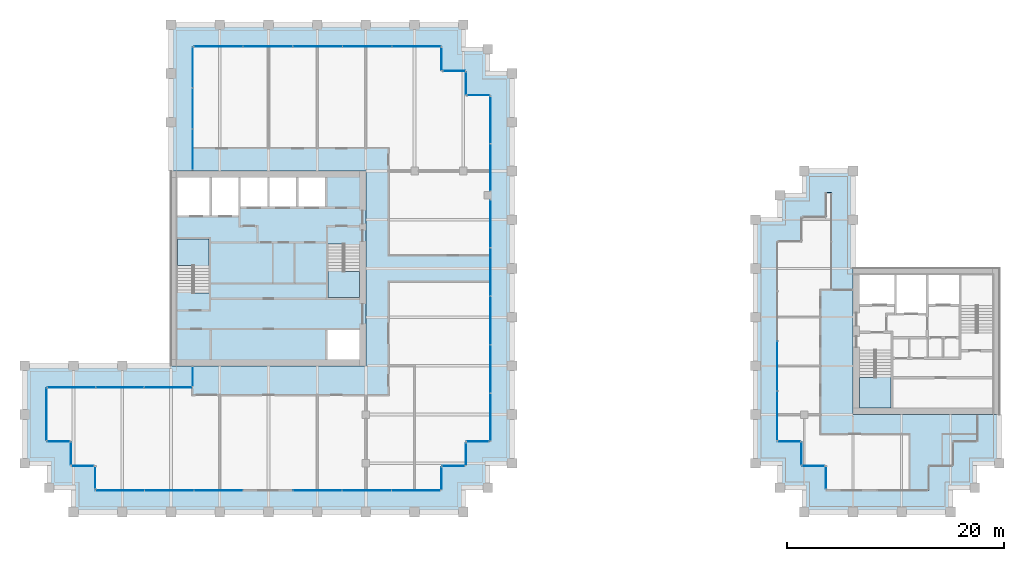
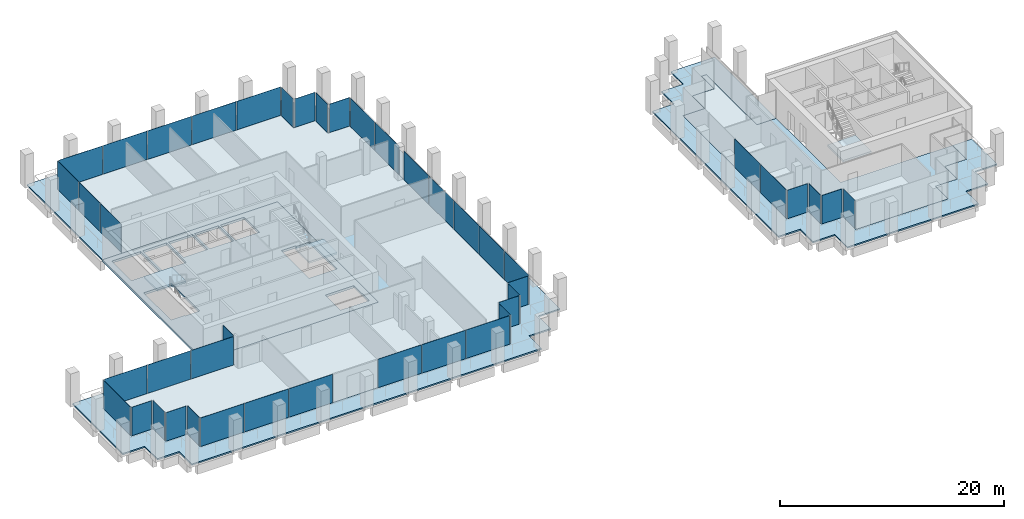
# One storey, part 34 of 40: 44 plates, 8 slabs, 29 elements without a shape of their own.
"""IFC4 building model written with IfcOpenShell, lengths in metres."""

from ifc_helpers import new_model, si_unit, direction, frame, origin, origin_2d, place, context, subcontext, project, spatial, polyline, rectangle, outline, extrude, material, layer, layer_set, type_object, element, aggregate, save


model = new_model("IFC4")

# Units and contexts
model_context = context("Model", 3, precision=1e-05, world=origin(), true_north=direction((0.0, 1.0)))
body_context = subcontext(model_context, "Body", "Model", "MODEL_VIEW")
ifc_project = project(units=[si_unit("LENGTHUNIT", "METRE"), si_unit("AREAUNIT", "SQUARE_METRE"), si_unit("VOLUMEUNIT", "CUBIC_METRE"), si_unit("PLANEANGLEUNIT", "RADIAN"), si_unit("MASSUNIT", "GRAM", prefix="KILO")], contexts=[model_context])

# Site, building, storey
site_placement = place(None, origin())
site = spatial("IfcSite", under=ifc_project, at=site_placement, CompositionType="ELEMENT")
building_placement = place(site_placement, origin())
building = spatial("IfcBuilding", under=site, at=building_placement, Name="Altepetl Exchange Towers", CompositionType="ELEMENT")
storey_placement = place(building_placement, frame((0.0, 0.0, 172.60009765625)))
storey = spatial("IfcBuildingStorey", under=building, at=storey_placement, Name="L43", CompositionType="ELEMENT", Elevation=172.60009765625)

# Slabs
ifc_material_1 = material(Name="Concrete C40/50", Category="concrete")
ifc_layer_1 = layer(ifc_material_1, 0.14990234375)
ifc_layer_set_1 = layer_set([ifc_layer_1], Name="Concrete C40/50")
slab_type_1 = type_object("IfcSlabType", Name="Composite floor slab 150", PredefinedType="FLOOR", material=ifc_layer_set_1)
slab_1_placement = place(storey_placement, frame((0.0, 0.0, -0.150146484375)))
element("IfcSlab", 1, at=slab_1_placement, inside=storey, type_object=slab_type_1, Name="slab:A:L43:strip0", PredefinedType="FLOOR", context=body_context, shape_type="SweptSolid", body=[
    extrude(outline(polyline([(42.5, 70.0), (42.5, 58.5), (58.5, 58.5), (58.5, 40.5), (42.5, 40.5), (42.5, 38.5), (29.0, 38.5), (29.0, 33.5), (31.25, 33.5), (31.25, 31.25), (33.5, 31.25), (33.5, 29.0), (65.5, 29.0), (65.5, 31.25), (67.75, 31.25), (67.75, 33.5), (70.0, 33.5), (70.0, 65.5), (67.75, 65.5), (67.75, 67.75), (65.5, 67.75), (65.5, 70.0), (42.5, 70.0)])), origin(), (0.0, 0.0, 1.0), 0.150146484375),
])
slab_2_placement = place(storey_placement, frame((0.0, 0.0, -0.150146484375)))
element("IfcSlab", 2, at=slab_2_placement, inside=storey, type_object=slab_type_1, Name="slab:B:L43:strip0", PredefinedType="FLOOR", context=body_context, shape_type="SweptSolid", body=[
    extrude(outline(polyline([(98.75, 31.25), (101.0, 31.25), (101.0, 29.0), (110.5, 29.0), (110.5, 31.25), (112.75, 31.25), (112.75, 33.5), (115.0, 33.5), (115.0, 36.0), (103.5, 36.0), (103.5, 47.5), (101.5, 47.5), (101.5, 56.5), (101.0, 56.5), (101.0, 54.25), (98.75, 54.25), (98.75, 52.0), (96.5, 52.0), (96.5, 33.5), (98.75, 33.5), (98.75, 31.25)])), origin(), (0.0, 0.0, 1.0), 0.150146484375),
])
ifc_layer_2 = layer(ifc_material_1, 0.25)
ifc_layer_set_2 = layer_set([ifc_layer_2], Name="Concrete C40/50")
slab_type_2 = type_object("IfcSlabType", Name="Core floor slab 250", PredefinedType="FLOOR", material=ifc_layer_set_2)
slab_3_placement = place(storey_placement, frame((0.0, 0.0, -0.25)))
element("IfcSlab", 3, at=slab_3_placement, inside=storey, type_object=slab_type_2, Name="slab:A:L43:core0", PredefinedType="FLOOR", context=body_context, shape_type="SweptSolid", body=[
    extrude(outline(polyline([(40.5, 40.5), (58.5, 40.5), (58.5, 58.5), (40.5, 58.5), (40.5, 40.5)]), holes=[polyline([(54.93310546875, 43.800048828125), (57.89990234375, 43.800048828125), (57.89990234375, 41.10009765625), (54.93310546875, 41.10009765625), (54.93310546875, 43.800048828125)]), polyline([(55.0, 51.7490234375), (56.5, 51.7490234375), (56.5, 51.64990234375), (57.89990234375, 51.64990234375), (57.89990234375, 46.800048828125), (55.0, 46.800048828125), (55.0, 51.7490234375)]), polyline([(44.0, 47.2509765625), (42.5, 47.2509765625), (42.5, 47.35009765625), (41.10009765625, 47.35009765625), (41.10009765625, 52.199951171875), (44.0, 52.199951171875), (44.0, 47.2509765625)]), polyline([(41.10009765625, 57.89990234375), (44.06689453125, 57.89990234375), (44.06689453125, 54.39990234375), (41.10009765625, 54.39990234375), (41.10009765625, 57.89990234375)]), polyline([(44.26708984375, 57.89990234375), (46.73291015625, 57.89990234375), (46.73291015625, 54.39990234375), (44.26708984375, 54.39990234375), (44.26708984375, 57.89990234375)]), polyline([(46.93310546875, 57.89990234375), (49.39990234375, 57.89990234375), (49.39990234375, 55.199951171875), (46.93310546875, 55.199951171875), (46.93310546875, 57.89990234375)]), polyline([(49.60009765625, 57.89990234375), (52.06689453125, 57.89990234375), (52.06689453125, 55.199951171875), (49.60009765625, 55.199951171875), (49.60009765625, 57.89990234375)]), polyline([(52.26708984375, 57.89990234375), (54.73291015625, 57.89990234375), (54.73291015625, 55.199951171875), (52.26708984375, 55.199951171875), (52.26708984375, 57.89990234375)])]), origin(), (0.0, 0.0, 1.0), 0.25),
])

# Curtain wall, plate
ifc_material_2 = material(Name="Aluminium 6063-T6 glazing", Category="aluminium")
curtain_wall_type = type_object("IfcCurtainWallType", Name="Loggia glazing system", PredefinedType="NOTDEFINED", material=ifc_material_2)
curtain_wall_1_placement = place(storey_placement, origin())
curtain_wall_1 = element("IfcCurtainWall", 4, at=curtain_wall_1_placement, inside=storey, type_object=curtain_wall_type, Name="CW1 run", PredefinedType="NOTDEFINED")
ifc_material_3 = material(Name="Glass 6-16-6 low emissivity", Category="glass")
ifc_layer_3 = layer(ifc_material_3, 0.028076171875)
ifc_layer_set_3 = layer_set([ifc_layer_3], Name="Glass 6-16-6 low emissivity")
plate_type = type_object("IfcPlateType", Name="Glass panel 28 double glazed", PredefinedType="CURTAIN_PANEL", material=ifc_layer_set_3)
plate_1_placement = place(storey_placement, frame((42.5, 39.53759765625, -0.000244140625), z_axis=(0.0, 0.0, 1.0), x_axis=(0.0, -1.0, 0.0)))
plate_1 = element("IfcPlate", 5, at=plate_1_placement, type_object=plate_type, Name="GP1 panel", PredefinedType="CURTAIN_PANEL", context=body_context, shape_type="SweptSolid", body=[
    extrude(rectangle(XDim=1.804931640625, YDim=0.028076171875, at=origin_2d()), origin(), (0.0, 0.0, 1.0), 3.10009765625),
])
aggregate(curtain_wall_1, [plate_1])

# Curtain wall, plates
curtain_wall_2_placement = place(storey_placement, origin())
curtain_wall_2 = element("IfcCurtainWall", 6, at=curtain_wall_2_placement, inside=storey, type_object=curtain_wall_type, Name="CW1 run", PredefinedType="NOTDEFINED")
plate_2_placement = place(storey_placement, frame((40.24755859375, 38.5, -0.000244140625), z_axis=(0.0, 0.0, 1.0), x_axis=(-1.0, 0.0, 0.0)))
plate_2 = element("IfcPlate", 7, at=plate_2_placement, type_object=plate_type, Name="GP1 panel", PredefinedType="CURTAIN_PANEL", context=body_context, shape_type="SweptSolid", body=[
    extrude(rectangle(XDim=4.385009765625, YDim=0.028076171875, at=origin_2d()), origin(), (0.0, 0.0, 1.0), 3.10009765625),
])
plate_3_placement = place(storey_placement, frame((35.78759765625, 38.5, -0.000244140625), z_axis=(0.0, 0.0, 1.0), x_axis=(-1.0, 0.0, 0.0)))
plate_3 = element("IfcPlate", 8, at=plate_3_placement, type_object=plate_type, Name="GP1 panel", PredefinedType="CURTAIN_PANEL", context=body_context, shape_type="SweptSolid", body=[
    extrude(rectangle(XDim=4.4150390625, YDim=0.028076171875, at=origin_2d()), origin(), (0.0, 0.0, 1.0), 3.10009765625),
])
plate_4_placement = place(storey_placement, frame((31.327392578125, 38.5, -0.000244140625), z_axis=(0.0, 0.0, 1.0), x_axis=(-1.0, 0.0, 0.0)))
plate_4 = element("IfcPlate", 9, at=plate_4_placement, type_object=plate_type, Name="GP1 panel", PredefinedType="CURTAIN_PANEL", context=body_context, shape_type="SweptSolid", body=[
    extrude(rectangle(XDim=4.385009765625, YDim=0.028076171875, at=origin_2d()), origin(), (0.0, 0.0, 1.0), 3.10009765625),
])
aggregate(curtain_wall_2, [plate_2, plate_3, plate_4])

# Curtain wall, plate
curtain_wall_3_placement = place(storey_placement, origin())
curtain_wall_3 = element("IfcCurtainWall", 10, at=curtain_wall_3_placement, inside=storey, type_object=curtain_wall_type, Name="CW1 run", PredefinedType="NOTDEFINED")
plate_5_placement = place(storey_placement, frame((29.0, 36.03759765625, -0.000244140625), z_axis=(0.0, 0.0, 1.0), x_axis=(0.0, -1.0, 0.0)))
plate_5 = element("IfcPlate", 11, at=plate_5_placement, type_object=plate_type, Name="GP1 panel", PredefinedType="CURTAIN_PANEL", context=body_context, shape_type="SweptSolid", body=[
    extrude(rectangle(XDim=4.804931640625, YDim=0.028076171875, at=origin_2d()), origin(), (0.0, 0.0, 1.0), 3.10009765625),
])
aggregate(curtain_wall_3, [plate_5])

curtain_wall_4_placement = place(storey_placement, origin())
curtain_wall_4 = element("IfcCurtainWall", 12, at=curtain_wall_4_placement, inside=storey, type_object=curtain_wall_type, Name="CW1 run", PredefinedType="NOTDEFINED")
plate_6_placement = place(storey_placement, frame((30.08740234375, 33.5, -0.000244140625)))
plate_6 = element("IfcPlate", 13, at=plate_6_placement, type_object=plate_type, Name="GP1 panel", PredefinedType="CURTAIN_PANEL", context=body_context, shape_type="SweptSolid", body=[
    extrude(rectangle(XDim=2.054931640625, YDim=0.028076171875, at=origin_2d()), origin(), (0.0, 0.0, 1.0), 3.10009765625),
])
aggregate(curtain_wall_4, [plate_6])

curtain_wall_5_placement = place(storey_placement, origin())
curtain_wall_5 = element("IfcCurtainWall", 14, at=curtain_wall_5_placement, inside=storey, type_object=curtain_wall_type, Name="CW1 run", PredefinedType="NOTDEFINED")
plate_7_placement = place(storey_placement, frame((31.25, 32.41259765625, -0.000244140625), z_axis=(0.0, 0.0, 1.0), x_axis=(0.0, -1.0, 0.0)))
plate_7 = element("IfcPlate", 15, at=plate_7_placement, type_object=plate_type, Name="GP1 panel", PredefinedType="CURTAIN_PANEL", context=body_context, shape_type="SweptSolid", body=[
    extrude(rectangle(XDim=2.054931640625, YDim=0.028076171875, at=origin_2d()), origin(), (0.0, 0.0, 1.0), 3.10009765625),
])
aggregate(curtain_wall_5, [plate_7])

curtain_wall_6_placement = place(storey_placement, origin())
curtain_wall_6 = element("IfcCurtainWall", 16, at=curtain_wall_6_placement, inside=storey, type_object=curtain_wall_type, Name="CW1 run", PredefinedType="NOTDEFINED")
plate_8_placement = place(storey_placement, frame((32.33740234375, 31.25, -0.000244140625)))
plate_8 = element("IfcPlate", 17, at=plate_8_placement, type_object=plate_type, Name="GP1 panel", PredefinedType="CURTAIN_PANEL", context=body_context, shape_type="SweptSolid", body=[
    extrude(rectangle(XDim=2.054931640625, YDim=0.028076171875, at=origin_2d()), origin(), (0.0, 0.0, 1.0), 3.10009765625),
])
aggregate(curtain_wall_6, [plate_8])

curtain_wall_7_placement = place(storey_placement, origin())
curtain_wall_7 = element("IfcCurtainWall", 18, at=curtain_wall_7_placement, inside=storey, type_object=curtain_wall_type, Name="CW1 run", PredefinedType="NOTDEFINED")
plate_9_placement = place(storey_placement, frame((33.5, 30.16259765625, -0.000244140625), z_axis=(0.0, 0.0, 1.0), x_axis=(0.0, -1.0, 0.0)))
plate_9 = element("IfcPlate", 19, at=plate_9_placement, type_object=plate_type, Name="GP1 panel", PredefinedType="CURTAIN_PANEL", context=body_context, shape_type="SweptSolid", body=[
    extrude(rectangle(XDim=2.054931640625, YDim=0.028076171875, at=origin_2d()), origin(), (0.0, 0.0, 1.0), 3.10009765625),
])
aggregate(curtain_wall_7, [plate_9])

# Curtain wall, plates
curtain_wall_8_placement = place(storey_placement, origin())
curtain_wall_8 = element("IfcCurtainWall", 20, at=curtain_wall_8_placement, inside=storey, type_object=curtain_wall_type, Name="CW1 run", PredefinedType="NOTDEFINED")
plate_10_placement = place(storey_placement, frame((35.79541015625, 29.0, -0.000244140625)))
plate_10 = element("IfcPlate", 21, at=plate_10_placement, type_object=plate_type, Name="GP1 panel", PredefinedType="CURTAIN_PANEL", context=body_context, shape_type="SweptSolid", body=[
    extrude(rectangle(XDim=4.470703125, YDim=0.028076171875, at=origin_2d()), origin(), (0.0, 0.0, 1.0), 3.10009765625),
])
plate_11_placement = place(storey_placement, frame((40.341064453125, 29.0, -0.000244140625)))
plate_11 = element("IfcPlate", 22, at=plate_11_placement, type_object=plate_type, Name="GP1 panel", PredefinedType="CURTAIN_PANEL", context=body_context, shape_type="SweptSolid", body=[
    extrude(rectangle(XDim=4.500732421875, YDim=0.028076171875, at=origin_2d()), origin(), (0.0, 0.0, 1.0), 3.10009765625),
])
plate_12_placement = place(storey_placement, frame((44.88671875, 29.0, -0.000244140625)))
plate_12 = element("IfcPlate", 23, at=plate_12_placement, type_object=plate_type, Name="GP1 panel", PredefinedType="CURTAIN_PANEL", context=body_context, shape_type="SweptSolid", body=[
    extrude(rectangle(XDim=4.470703125, YDim=0.028076171875, at=origin_2d()), origin(), (0.0, 0.0, 1.0), 3.10009765625),
])
aggregate(curtain_wall_8, [plate_10, plate_11, plate_12])

curtain_wall_9_placement = place(storey_placement, origin())
curtain_wall_9 = element("IfcCurtainWall", 24, at=curtain_wall_9_placement, inside=storey, type_object=curtain_wall_type, Name="CW1 run", PredefinedType="NOTDEFINED")
plate_13_placement = place(storey_placement, frame((54.038330078125, 29.0, -0.000244140625)))
plate_13 = element("IfcPlate", 25, at=plate_13_placement, type_object=plate_type, Name="GP1 panel", PredefinedType="CURTAIN_PANEL", context=body_context, shape_type="SweptSolid", body=[
    extrude(rectangle(XDim=4.470703125, YDim=0.028076171875, at=origin_2d()), origin(), (0.0, 0.0, 1.0), 3.10009765625),
])
plate_14_placement = place(storey_placement, frame((58.583984375, 29.0, -0.000244140625)))
plate_14 = element("IfcPlate", 26, at=plate_14_placement, type_object=plate_type, Name="GP1 panel", PredefinedType="CURTAIN_PANEL", context=body_context, shape_type="SweptSolid", body=[
    extrude(rectangle(XDim=4.500732421875, YDim=0.028076171875, at=origin_2d()), origin(), (0.0, 0.0, 1.0), 3.10009765625),
])
plate_15_placement = place(storey_placement, frame((63.129638671875, 29.0, -0.000244140625)))
plate_15 = element("IfcPlate", 27, at=plate_15_placement, type_object=plate_type, Name="GP1 panel", PredefinedType="CURTAIN_PANEL", context=body_context, shape_type="SweptSolid", body=[
    extrude(rectangle(XDim=4.470703125, YDim=0.028076171875, at=origin_2d()), origin(), (0.0, 0.0, 1.0), 3.10009765625),
])
aggregate(curtain_wall_9, [plate_13, plate_14, plate_15])

# Curtain wall, plate
curtain_wall_10_placement = place(storey_placement, origin())
curtain_wall_10 = element("IfcCurtainWall", 28, at=curtain_wall_10_placement, inside=storey, type_object=curtain_wall_type, Name="CW1 run", PredefinedType="NOTDEFINED")
plate_16_placement = place(storey_placement, frame((65.5, 30.08740234375, -0.000244140625), z_axis=(0.0, 0.0, 1.0), x_axis=(0.0, 1.0, 0.0)))
plate_16 = element("IfcPlate", 29, at=plate_16_placement, type_object=plate_type, Name="GP1 panel", PredefinedType="CURTAIN_PANEL", context=body_context, shape_type="SweptSolid", body=[
    extrude(rectangle(XDim=2.054931640625, YDim=0.028076171875, at=origin_2d()), origin(), (0.0, 0.0, 1.0), 3.10009765625),
])
aggregate(curtain_wall_10, [plate_16])

curtain_wall_11_placement = place(storey_placement, origin())
curtain_wall_11 = element("IfcCurtainWall", 30, at=curtain_wall_11_placement, inside=storey, type_object=curtain_wall_type, Name="CW1 run", PredefinedType="NOTDEFINED")
plate_17_placement = place(storey_placement, frame((66.58740234375, 31.25, -0.000244140625)))
plate_17 = element("IfcPlate", 31, at=plate_17_placement, type_object=plate_type, Name="GP1 panel", PredefinedType="CURTAIN_PANEL", context=body_context, shape_type="SweptSolid", body=[
    extrude(rectangle(XDim=2.054931640625, YDim=0.028076171875, at=origin_2d()), origin(), (0.0, 0.0, 1.0), 3.10009765625),
])
aggregate(curtain_wall_11, [plate_17])

curtain_wall_12_placement = place(storey_placement, origin())
curtain_wall_12 = element("IfcCurtainWall", 32, at=curtain_wall_12_placement, inside=storey, type_object=curtain_wall_type, Name="CW1 run", PredefinedType="NOTDEFINED")
plate_18_placement = place(storey_placement, frame((67.75, 32.33740234375, -0.000244140625), z_axis=(0.0, 0.0, 1.0), x_axis=(0.0, 1.0, 0.0)))
plate_18 = element("IfcPlate", 33, at=plate_18_placement, type_object=plate_type, Name="GP1 panel", PredefinedType="CURTAIN_PANEL", context=body_context, shape_type="SweptSolid", body=[
    extrude(rectangle(XDim=2.054931640625, YDim=0.028076171875, at=origin_2d()), origin(), (0.0, 0.0, 1.0), 3.10009765625),
])
aggregate(curtain_wall_12, [plate_18])

curtain_wall_13_placement = place(storey_placement, origin())
curtain_wall_13 = element("IfcCurtainWall", 34, at=curtain_wall_13_placement, inside=storey, type_object=curtain_wall_type, Name="CW1 run", PredefinedType="NOTDEFINED")
plate_19_placement = place(storey_placement, frame((68.83740234375, 33.5, -0.000244140625)))
plate_19 = element("IfcPlate", 35, at=plate_19_placement, type_object=plate_type, Name="GP1 panel", PredefinedType="CURTAIN_PANEL", context=body_context, shape_type="SweptSolid", body=[
    extrude(rectangle(XDim=2.054931640625, YDim=0.028076171875, at=origin_2d()), origin(), (0.0, 0.0, 1.0), 3.10009765625),
])
aggregate(curtain_wall_13, [plate_19])

# Curtain wall, plates
curtain_wall_14_placement = place(storey_placement, origin())
curtain_wall_14 = element("IfcCurtainWall", 36, at=curtain_wall_14_placement, inside=storey, type_object=curtain_wall_type, Name="CW1 run", PredefinedType="NOTDEFINED")
plate_20_placement = place(storey_placement, frame((70.0, 35.7529296875, -0.000244140625), z_axis=(0.0, 0.0, 1.0), x_axis=(0.0, 1.0, 0.0)))
plate_20 = element("IfcPlate", 37, at=plate_20_placement, type_object=plate_type, Name="GP1 panel", PredefinedType="CURTAIN_PANEL", context=body_context, shape_type="SweptSolid", body=[
    extrude(rectangle(XDim=4.385986328125, YDim=0.028076171875, at=origin_2d()), origin(), (0.0, 0.0, 1.0), 3.10009765625),
])
plate_21_placement = place(storey_placement, frame((70.0, 40.214111328125, -0.000244140625), z_axis=(0.0, 0.0, 1.0), x_axis=(0.0, 1.0, 0.0)))
plate_21 = element("IfcPlate", 38, at=plate_21_placement, type_object=plate_type, Name="GP1 panel", PredefinedType="CURTAIN_PANEL", context=body_context, shape_type="SweptSolid", body=[
    extrude(rectangle(XDim=4.416015625, YDim=0.028076171875, at=origin_2d()), origin(), (0.0, 0.0, 1.0), 3.10009765625),
])
plate_22_placement = place(storey_placement, frame((70.0, 44.68994140625, -0.000244140625), z_axis=(0.0, 0.0, 1.0), x_axis=(0.0, 1.0, 0.0)))
plate_22 = element("IfcPlate", 39, at=plate_22_placement, type_object=plate_type, Name="GP1 panel", PredefinedType="CURTAIN_PANEL", context=body_context, shape_type="SweptSolid", body=[
    extrude(rectangle(XDim=4.416015625, YDim=0.028076171875, at=origin_2d()), origin(), (0.0, 0.0, 1.0), 3.10009765625),
])
plate_23_placement = place(storey_placement, frame((70.0, 49.166015625, -0.000244140625), z_axis=(0.0, 0.0, 1.0), x_axis=(0.0, 1.0, 0.0)))
plate_23 = element("IfcPlate", 40, at=plate_23_placement, type_object=plate_type, Name="GP1 panel", PredefinedType="CURTAIN_PANEL", context=body_context, shape_type="SweptSolid", body=[
    extrude(rectangle(XDim=4.416015625, YDim=0.028076171875, at=origin_2d()), origin(), (0.0, 0.0, 1.0), 3.10009765625),
])
plate_24_placement = place(storey_placement, frame((70.0, 53.626953125, -0.000244140625), z_axis=(0.0, 0.0, 1.0), x_axis=(0.0, 1.0, 0.0)))
plate_24 = element("IfcPlate", 41, at=plate_24_placement, type_object=plate_type, Name="GP1 panel", PredefinedType="CURTAIN_PANEL", context=body_context, shape_type="SweptSolid", body=[
    extrude(rectangle(XDim=4.385986328125, YDim=0.028076171875, at=origin_2d()), origin(), (0.0, 0.0, 1.0), 3.10009765625),
])
aggregate(curtain_wall_14, [plate_20, plate_21, plate_22, plate_23, plate_24])

curtain_wall_15_placement = place(storey_placement, origin())
curtain_wall_15 = element("IfcCurtainWall", 42, at=curtain_wall_15_placement, inside=storey, type_object=curtain_wall_type, Name="CW1 run", PredefinedType="NOTDEFINED")
plate_25_placement = place(storey_placement, frame((70.0, 58.836181640625, -0.000244140625), z_axis=(0.0, 0.0, 1.0), x_axis=(0.0, 1.0, 0.0)))
plate_25 = element("IfcPlate", 43, at=plate_25_placement, type_object=plate_type, Name="GP1 panel", PredefinedType="CURTAIN_PANEL", context=body_context, shape_type="SweptSolid", body=[
    extrude(rectangle(XDim=4.3125, YDim=0.028076171875, at=origin_2d()), origin(), (0.0, 0.0, 1.0), 3.10009765625),
])
plate_26_placement = place(storey_placement, frame((70.0, 63.208740234375, -0.000244140625), z_axis=(0.0, 0.0, 1.0), x_axis=(0.0, 1.0, 0.0)))
plate_26 = element("IfcPlate", 44, at=plate_26_placement, type_object=plate_type, Name="GP1 panel", PredefinedType="CURTAIN_PANEL", context=body_context, shape_type="SweptSolid", body=[
    extrude(rectangle(XDim=4.3125, YDim=0.028076171875, at=origin_2d()), origin(), (0.0, 0.0, 1.0), 3.10009765625),
])
aggregate(curtain_wall_15, [plate_25, plate_26])

# Curtain wall, plate
curtain_wall_16_placement = place(storey_placement, origin())
curtain_wall_16 = element("IfcCurtainWall", 45, at=curtain_wall_16_placement, inside=storey, type_object=curtain_wall_type, Name="CW1 run", PredefinedType="NOTDEFINED")
plate_27_placement = place(storey_placement, frame((68.91259765625, 65.5, -0.000244140625), z_axis=(0.0, 0.0, 1.0), x_axis=(-1.0, 0.0, 0.0)))
plate_27 = element("IfcPlate", 46, at=plate_27_placement, type_object=plate_type, Name="GP1 panel", PredefinedType="CURTAIN_PANEL", context=body_context, shape_type="SweptSolid", body=[
    extrude(rectangle(XDim=2.054931640625, YDim=0.028076171875, at=origin_2d()), origin(), (0.0, 0.0, 1.0), 3.10009765625),
])
aggregate(curtain_wall_16, [plate_27])

curtain_wall_17_placement = place(storey_placement, origin())
curtain_wall_17 = element("IfcCurtainWall", 47, at=curtain_wall_17_placement, inside=storey, type_object=curtain_wall_type, Name="CW1 run", PredefinedType="NOTDEFINED")
plate_28_placement = place(storey_placement, frame((67.75, 66.58740234375, -0.000244140625), z_axis=(0.0, 0.0, 1.0), x_axis=(0.0, 1.0, 0.0)))
plate_28 = element("IfcPlate", 48, at=plate_28_placement, type_object=plate_type, Name="GP1 panel", PredefinedType="CURTAIN_PANEL", context=body_context, shape_type="SweptSolid", body=[
    extrude(rectangle(XDim=2.054931640625, YDim=0.028076171875, at=origin_2d()), origin(), (0.0, 0.0, 1.0), 3.10009765625),
])
aggregate(curtain_wall_17, [plate_28])

curtain_wall_18_placement = place(storey_placement, origin())
curtain_wall_18 = element("IfcCurtainWall", 49, at=curtain_wall_18_placement, inside=storey, type_object=curtain_wall_type, Name="CW1 run", PredefinedType="NOTDEFINED")
plate_29_placement = place(storey_placement, frame((66.66259765625, 67.75, -0.000244140625), z_axis=(0.0, 0.0, 1.0), x_axis=(-1.0, 0.0, 0.0)))
plate_29 = element("IfcPlate", 50, at=plate_29_placement, type_object=plate_type, Name="GP1 panel", PredefinedType="CURTAIN_PANEL", context=body_context, shape_type="SweptSolid", body=[
    extrude(rectangle(XDim=2.054931640625, YDim=0.028076171875, at=origin_2d()), origin(), (0.0, 0.0, 1.0), 3.10009765625),
])
aggregate(curtain_wall_18, [plate_29])

curtain_wall_19_placement = place(storey_placement, origin())
curtain_wall_19 = element("IfcCurtainWall", 51, at=curtain_wall_19_placement, inside=storey, type_object=curtain_wall_type, Name="CW1 run", PredefinedType="NOTDEFINED")
plate_30_placement = place(storey_placement, frame((65.5, 68.83740234375, -0.000244140625), z_axis=(0.0, 0.0, 1.0), x_axis=(0.0, 1.0, 0.0)))
plate_30 = element("IfcPlate", 52, at=plate_30_placement, type_object=plate_type, Name="GP1 panel", PredefinedType="CURTAIN_PANEL", context=body_context, shape_type="SweptSolid", body=[
    extrude(rectangle(XDim=2.054931640625, YDim=0.028076171875, at=origin_2d()), origin(), (0.0, 0.0, 1.0), 3.10009765625),
])
aggregate(curtain_wall_19, [plate_30])

# Curtain wall, plates
curtain_wall_20_placement = place(storey_placement, origin())
curtain_wall_20 = element("IfcCurtainWall", 53, at=curtain_wall_20_placement, inside=storey, type_object=curtain_wall_type, Name="CW1 run", PredefinedType="NOTDEFINED")
plate_31_placement = place(storey_placement, frame((63.1923828125, 70.0, -0.000244140625), z_axis=(0.0, 0.0, 1.0), x_axis=(-1.0, 0.0, 0.0)))
plate_31 = element("IfcPlate", 54, at=plate_31_placement, type_object=plate_type, Name="GP1 panel", PredefinedType="CURTAIN_PANEL", context=body_context, shape_type="SweptSolid", body=[
    extrude(rectangle(XDim=4.4951171875, YDim=0.028076171875, at=origin_2d()), origin(), (0.0, 0.0, 1.0), 3.10009765625),
])
plate_32_placement = place(storey_placement, frame((58.62255859375, 70.0, -0.000244140625), z_axis=(0.0, 0.0, 1.0), x_axis=(-1.0, 0.0, 0.0)))
plate_32 = element("IfcPlate", 55, at=plate_32_placement, type_object=plate_type, Name="GP1 panel", PredefinedType="CURTAIN_PANEL", context=body_context, shape_type="SweptSolid", body=[
    extrude(rectangle(XDim=4.52490234375, YDim=0.028076171875, at=origin_2d()), origin(), (0.0, 0.0, 1.0), 3.10009765625),
])
plate_33_placement = place(storey_placement, frame((54.03759765625, 70.0, -0.000244140625), z_axis=(0.0, 0.0, 1.0), x_axis=(-1.0, 0.0, 0.0)))
plate_33 = element("IfcPlate", 56, at=plate_33_placement, type_object=plate_type, Name="GP1 panel", PredefinedType="CURTAIN_PANEL", context=body_context, shape_type="SweptSolid", body=[
    extrude(rectangle(XDim=4.52490234375, YDim=0.028076171875, at=origin_2d()), origin(), (0.0, 0.0, 1.0), 3.10009765625),
])
plate_34_placement = place(storey_placement, frame((49.452392578125, 70.0, -0.000244140625), z_axis=(0.0, 0.0, 1.0), x_axis=(-1.0, 0.0, 0.0)))
plate_34 = element("IfcPlate", 57, at=plate_34_placement, type_object=plate_type, Name="GP1 panel", PredefinedType="CURTAIN_PANEL", context=body_context, shape_type="SweptSolid", body=[
    extrude(rectangle(XDim=4.52490234375, YDim=0.028076171875, at=origin_2d()), origin(), (0.0, 0.0, 1.0), 3.10009765625),
])
plate_35_placement = place(storey_placement, frame((44.882568359375, 70.0, -0.000244140625), z_axis=(0.0, 0.0, 1.0), x_axis=(-1.0, 0.0, 0.0)))
plate_35 = element("IfcPlate", 58, at=plate_35_placement, type_object=plate_type, Name="GP1 panel", PredefinedType="CURTAIN_PANEL", context=body_context, shape_type="SweptSolid", body=[
    extrude(rectangle(XDim=4.4951171875, YDim=0.028076171875, at=origin_2d()), origin(), (0.0, 0.0, 1.0), 3.10009765625),
])
aggregate(curtain_wall_20, [plate_31, plate_32, plate_33, plate_34, plate_35])

curtain_wall_21_placement = place(storey_placement, origin())
curtain_wall_21 = element("IfcCurtainWall", 59, at=curtain_wall_21_placement, inside=storey, type_object=curtain_wall_type, Name="CW1 run", PredefinedType="NOTDEFINED")
plate_36_placement = place(storey_placement, frame((42.5, 68.080810546875, -0.000244140625), z_axis=(0.0, 0.0, 1.0), x_axis=(0.0, -1.0, 0.0)))
plate_36 = element("IfcPlate", 60, at=plate_36_placement, type_object=plate_type, Name="GP1 panel", PredefinedType="CURTAIN_PANEL", context=body_context, shape_type="SweptSolid", body=[
    extrude(rectangle(XDim=3.71826171875, YDim=0.028076171875, at=origin_2d()), origin(), (0.0, 0.0, 1.0), 3.10009765625),
])
plate_37_placement = place(storey_placement, frame((42.5, 64.28759765625, -0.000244140625), z_axis=(0.0, 0.0, 1.0), x_axis=(0.0, -1.0, 0.0)))
plate_37 = element("IfcPlate", 61, at=plate_37_placement, type_object=plate_type, Name="GP1 panel", PredefinedType="CURTAIN_PANEL", context=body_context, shape_type="SweptSolid", body=[
    extrude(rectangle(XDim=3.748291015625, YDim=0.028076171875, at=origin_2d()), origin(), (0.0, 0.0, 1.0), 3.10009765625),
])
plate_38_placement = place(storey_placement, frame((42.5, 60.494140625, -0.000244140625), z_axis=(0.0, 0.0, 1.0), x_axis=(0.0, -1.0, 0.0)))
plate_38 = element("IfcPlate", 62, at=plate_38_placement, type_object=plate_type, Name="GP1 panel", PredefinedType="CURTAIN_PANEL", context=body_context, shape_type="SweptSolid", body=[
    extrude(rectangle(XDim=3.71826171875, YDim=0.028076171875, at=origin_2d()), origin(), (0.0, 0.0, 1.0), 3.10009765625),
])
aggregate(curtain_wall_21, [plate_36, plate_37, plate_38])

# Curtain wall, plate
curtain_wall_22_placement = place(storey_placement, origin())
curtain_wall_22 = element("IfcCurtainWall", 63, at=curtain_wall_22_placement, inside=storey, type_object=curtain_wall_type, Name="CW1 run", PredefinedType="NOTDEFINED")
plate_39_placement = place(storey_placement, frame((101.0, 30.16259765625, -0.000244140625), z_axis=(0.0, 0.0, 1.0), x_axis=(0.0, -1.0, 0.0)))
plate_39 = element("IfcPlate", 64, at=plate_39_placement, type_object=plate_type, Name="GP1 panel", PredefinedType="CURTAIN_PANEL", context=body_context, shape_type="SweptSolid", body=[
    extrude(rectangle(XDim=2.054931640625, YDim=0.028076171875, at=origin_2d()), origin(), (0.0, 0.0, 1.0), 3.10009765625),
])
aggregate(curtain_wall_22, [plate_39])

# Curtain wall, plates
curtain_wall_23_placement = place(storey_placement, origin())
curtain_wall_23 = element("IfcCurtainWall", 65, at=curtain_wall_23_placement, inside=storey, type_object=curtain_wall_type, Name="CW1 run", PredefinedType="NOTDEFINED")
plate_40_placement = place(storey_placement, frame((96.5, 40.484375, -0.000244140625), z_axis=(0.0, 0.0, 1.0), x_axis=(0.0, -1.0, 0.0)))
plate_40 = element("IfcPlate", 66, at=plate_40_placement, type_object=plate_type, Name="GP1 panel", PredefinedType="CURTAIN_PANEL", context=body_context, shape_type="SweptSolid", body=[
    extrude(rectangle(XDim=4.546142578125, YDim=0.028076171875, at=origin_2d()), origin(), (0.0, 0.0, 1.0), 3.10009765625),
])
plate_41_placement = place(storey_placement, frame((96.5, 35.89306640625, -0.000244140625), z_axis=(0.0, 0.0, 1.0), x_axis=(0.0, -1.0, 0.0)))
plate_41 = element("IfcPlate", 67, at=plate_41_placement, type_object=plate_type, Name="GP1 panel", PredefinedType="CURTAIN_PANEL", context=body_context, shape_type="SweptSolid", body=[
    extrude(rectangle(XDim=4.516357421875, YDim=0.028076171875, at=origin_2d()), origin(), (0.0, 0.0, 1.0), 3.10009765625),
])
aggregate(curtain_wall_23, [plate_40, plate_41])

# Curtain wall, plate
curtain_wall_24_placement = place(storey_placement, origin())
curtain_wall_24 = element("IfcCurtainWall", 68, at=curtain_wall_24_placement, inside=storey, type_object=curtain_wall_type, Name="CW1 run", PredefinedType="NOTDEFINED")
plate_42_placement = place(storey_placement, frame((97.58740234375, 33.5, -0.000244140625)))
plate_42 = element("IfcPlate", 69, at=plate_42_placement, type_object=plate_type, Name="GP1 panel", PredefinedType="CURTAIN_PANEL", context=body_context, shape_type="SweptSolid", body=[
    extrude(rectangle(XDim=2.054931640625, YDim=0.028076171875, at=origin_2d()), origin(), (0.0, 0.0, 1.0), 3.10009765625),
])
aggregate(curtain_wall_24, [plate_42])

curtain_wall_25_placement = place(storey_placement, origin())
curtain_wall_25 = element("IfcCurtainWall", 70, at=curtain_wall_25_placement, inside=storey, type_object=curtain_wall_type, Name="CW1 run", PredefinedType="NOTDEFINED")
plate_43_placement = place(storey_placement, frame((98.75, 32.41259765625, -0.000244140625), z_axis=(0.0, 0.0, 1.0), x_axis=(0.0, -1.0, 0.0)))
plate_43 = element("IfcPlate", 71, at=plate_43_placement, type_object=plate_type, Name="GP1 panel", PredefinedType="CURTAIN_PANEL", context=body_context, shape_type="SweptSolid", body=[
    extrude(rectangle(XDim=2.054931640625, YDim=0.028076171875, at=origin_2d()), origin(), (0.0, 0.0, 1.0), 3.10009765625),
])
aggregate(curtain_wall_25, [plate_43])

curtain_wall_26_placement = place(storey_placement, origin())
curtain_wall_26 = element("IfcCurtainWall", 72, at=curtain_wall_26_placement, inside=storey, type_object=curtain_wall_type, Name="CW1 run", PredefinedType="NOTDEFINED")
plate_44_placement = place(storey_placement, frame((99.83740234375, 31.25, -0.000244140625)))
plate_44 = element("IfcPlate", 73, at=plate_44_placement, type_object=plate_type, Name="GP1 panel", PredefinedType="CURTAIN_PANEL", context=body_context, shape_type="SweptSolid", body=[
    extrude(rectangle(XDim=2.054931640625, YDim=0.028076171875, at=origin_2d()), origin(), (0.0, 0.0, 1.0), 3.10009765625),
])
aggregate(curtain_wall_26, [plate_44])

# Slabs
ifc_layer_4 = layer(ifc_material_1, 0.14990234375)
ifc_layer_set_4 = layer_set([ifc_layer_4], Name="Concrete C40/50")
slab_type_3 = type_object("IfcSlabType", Name="Loggia slab 150", PredefinedType="FLOOR", material=ifc_layer_set_4)
slab_4_placement = place(storey_placement, frame((0.0, 0.0, -0.150146484375)))
element("IfcSlab", 74, at=slab_4_placement, inside=storey, type_object=slab_type_3, Name="slab:A:L43:loggia0", PredefinedType="FLOOR", context=body_context, shape_type="SweptSolid", body=[
    extrude(outline(polyline([(40.5, 72.0), (40.5, 58.5), (42.5, 58.5), (42.5, 70.0), (65.5, 70.0), (65.5, 67.75), (67.75, 67.75), (67.75, 65.5), (70.0, 65.5), (70.0, 33.5), (67.75, 33.5), (67.75, 31.25), (65.5, 31.25), (65.5, 29.0), (33.5, 29.0), (33.5, 31.25), (31.25, 31.25), (31.25, 33.5), (29.0, 33.5), (29.0, 38.5), (42.5, 38.5), (42.5, 40.5), (40.5, 40.5), (27.0, 40.5), (27.0, 31.5), (29.25, 31.5), (29.25, 29.25), (31.5, 29.25), (31.5, 27.0), (58.5, 27.0), (67.5, 27.0), (67.5, 29.25), (69.75, 29.25), (69.75, 31.5), (72.0, 31.5), (72.0, 58.5), (72.0, 67.5), (69.75, 67.5), (69.75, 69.75), (67.5, 69.75), (67.5, 72.0), (40.5, 72.0)])), origin(), (0.0, 0.0, 1.0), 0.150146484375),
])
slab_5_placement = place(storey_placement, frame((0.0, 0.0, -0.150146484375)))
element("IfcSlab", 75, at=slab_5_placement, inside=storey, type_object=slab_type_3, Name="slab:B:L43:loggia0", PredefinedType="FLOOR", context=body_context, shape_type="SweptSolid", body=[
    extrude(outline(polyline([(99.0, 29.25), (99.0, 27.0), (112.5, 27.0), (112.5, 29.25), (114.75, 29.25), (114.75, 31.5), (117.0, 31.5), (117.0, 36.0), (115.0, 36.0), (115.0, 33.5), (112.75, 33.5), (112.75, 31.25), (110.5, 31.25), (110.5, 29.0), (101.0, 29.0), (101.0, 31.25), (98.75, 31.25), (98.75, 33.5), (96.5, 33.5), (96.5, 52.0), (98.75, 52.0), (98.75, 54.25), (101.0, 54.25), (101.0, 56.5), (101.5, 56.5), (101.5, 47.5), (103.5, 47.5), (103.5, 49.5), (103.5, 58.5), (99.0, 58.5), (99.0, 56.25), (96.75, 56.25), (96.75, 54.0), (94.5, 54.0), (94.5, 36.0), (94.5, 31.5), (96.75, 31.5), (96.75, 29.25), (99.0, 29.25)])), origin(), (0.0, 0.0, 1.0), 0.150146484375),
])

# Stair, slab
stair_type = type_object("IfcStairType", Name="Exit stair 1400 flights dogleg", PredefinedType="HALF_TURN_STAIR", material=ifc_material_1)
stair_1_placement = place(storey_placement, origin())
stair_1 = element("IfcStair", 76, at=stair_1_placement, inside=storey, type_object=stair_type, Name="Exit stair 1", PredefinedType="HALF_TURN_STAIR")
ifc_layer_5 = layer(ifc_material_1, 0.199951171875)
ifc_layer_set_5 = layer_set([ifc_layer_5], Name="Concrete C40/50")
slab_type_4 = type_object("IfcSlabType", Name="Stair landing 200 reinforced concrete", PredefinedType="LANDING", material=ifc_layer_set_5)
slab_6_placement = place(storey_placement, frame((0.0, 0.0, 1.599853515625)))
slab_6 = element("IfcSlab", 77, at=slab_6_placement, type_object=slab_type_4, Name="ST-A1e landing 1", PredefinedType="LANDING", context=body_context, shape_type="SweptSolid", body=[
    extrude(outline(polyline([(44.0, 49.669921875), (42.60009765625, 49.669921875), (42.60009765625, 49.77001953125), (42.5, 49.77001953125), (42.5, 49.769287109375), (41.10009765625, 49.769287109375), (41.10009765625, 49.77001953125), (41.10009765625, 52.199951171875), (44.0, 52.199951171875), (44.0, 49.77001953125), (44.0, 49.669921875)])), origin(), (0.0, 0.0, 1.0), 0.199951171875),
])
aggregate(stair_1, [slab_6])

stair_2_placement = place(storey_placement, origin())
stair_2 = element("IfcStair", 78, at=stair_2_placement, inside=storey, type_object=stair_type, Name="Exit stair 2", PredefinedType="HALF_TURN_STAIR")
slab_7_placement = place(storey_placement, frame((0.0, 0.0, 1.599853515625)))
slab_7 = element("IfcSlab", 79, at=slab_7_placement, type_object=slab_type_4, Name="ST-A2e landing 1", PredefinedType="LANDING", context=body_context, shape_type="SweptSolid", body=[
    extrude(outline(polyline([(57.89990234375, 46.800048828125), (55.0, 46.800048828125), (55.0, 49.22998046875), (55.0, 49.330078125), (56.39990234375, 49.330078125), (56.39990234375, 49.22998046875), (56.5, 49.22998046875), (56.5, 49.230712890625), (57.89990234375, 49.230712890625), (57.89990234375, 49.22998046875), (57.89990234375, 46.800048828125)])), origin(), (0.0, 0.0, 1.0), 0.199951171875),
])
aggregate(stair_2, [slab_7])

stair_3_placement = place(storey_placement, origin())
stair_3 = element("IfcStair", 80, at=stair_3_placement, inside=storey, type_object=stair_type, Name="Exit stair 1", PredefinedType="HALF_TURN_STAIR")
slab_8_placement = place(storey_placement, frame((0.0, 0.0, 1.599853515625)))
slab_8 = element("IfcSlab", 81, at=slab_8_placement, type_object=slab_type_4, Name="ST-B1e landing 1", PredefinedType="LANDING", context=body_context, shape_type="SweptSolid", body=[
    extrude(outline(polyline([(107.0, 36.60009765625), (104.10009765625, 36.60009765625), (104.10009765625, 39.429931640625), (104.10009765625, 39.4306640625), (105.5, 39.4306640625), (105.5, 39.429931640625), (105.60009765625, 39.429931640625), (105.60009765625, 39.530029296875), (107.0, 39.530029296875), (107.0, 39.429931640625), (107.0, 36.60009765625)])), origin(), (0.0, 0.0, 1.0), 0.199951171875),
])
aggregate(stair_3, [slab_8])

save(model, "model.ifc")
